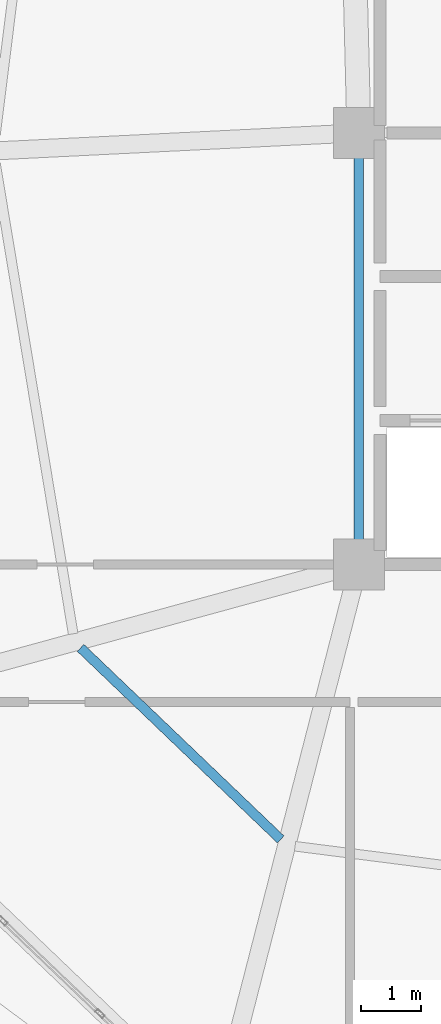
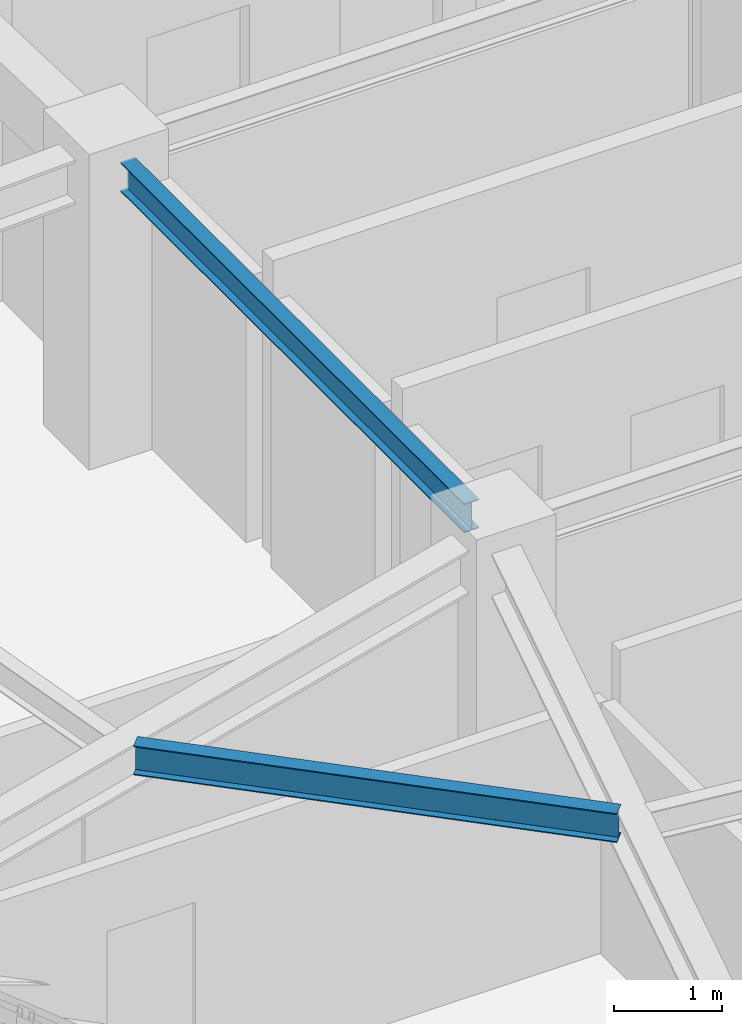
# One storey, part 6 of 28: 2 beams.
"""IFC4 building model written with IfcOpenShell, lengths in metres."""

from ifc_helpers import new_model, si_unit, direction, frame, origin, origin_2d, place, context, subcontext, project, spatial, i_section, extrude, material, material_profile, profile_set, type_object, element, save


model = new_model("IFC4")

# Units and contexts
model_context = context("Model", 3, precision=1e-05, world=origin(), true_north=direction((0.0, 1.0)))
body_context = subcontext(model_context, "Body", "Model", "MODEL_VIEW")
ifc_project = project(units=[si_unit("LENGTHUNIT", "METRE"), si_unit("AREAUNIT", "SQUARE_METRE"), si_unit("VOLUMEUNIT", "CUBIC_METRE"), si_unit("PLANEANGLEUNIT", "RADIAN"), si_unit("MASSUNIT", "GRAM", prefix="KILO")], contexts=[model_context])

# Site, building, storey
site_placement = place(None, origin())
site = spatial("IfcSite", under=ifc_project, at=site_placement, CompositionType="ELEMENT")
building_placement = place(site_placement, origin())
building = spatial("IfcBuilding", under=site, at=building_placement, Name="Varnakorn Sky Granary", CompositionType="ELEMENT")
storey_placement = place(building_placement, frame((0.0, 0.0, 200.39990234375)))
storey = spatial("IfcBuildingStorey", under=building, at=storey_placement, Name="L50", CompositionType="ELEMENT", Elevation=200.39990234375)

# Beams
ifc_material = material(Name="Steel S355JR", Category="steel")
ifc_material_profile = material_profile(ifc_material, i_section(OverallWidth=0.159912109375, OverallDepth=0.330078125, WebThickness=0.007568359375, FlangeThickness=0.011474609375, at=origin_2d()), Name="IPE 330")
ifc_profile_set = profile_set([ifc_material_profile], Name="Steel S355JR")
beam_type = type_object("IfcBeamType", Name="BM-SEC-Z4", PredefinedType="BEAM", material=ifc_profile_set)
beam_1_placement = place(storey_placement, frame((-6.994384765625, -7.99462890625, 3.195068359375), z_axis=(0.722467446384, -0.691404938452, 0.0), x_axis=(0.691404938452, 0.722467446384, 0.0)))
element("IfcBeam", 1, at=beam_1_placement, inside=storey, type_object=beam_type, Name="Secondary Floor Chord Beam MSB08 L50", PredefinedType="BEAM", context=body_context, shape_type="SweptSolid", body=[
    extrude(i_section(OverallWidth=0.159912109375, OverallDepth=0.330078125, WebThickness=0.007568359375, FlangeThickness=0.011474609375, at=origin_2d()), origin(), (0.0, 0.0, 1.0), 4.62158203125),
])
beam_2_placement = place(storey_placement, frame((-2.35009765625, 0.195068359375, 3.195068359375), z_axis=(0.0, -1.0, 0.0), x_axis=(1.0, 0.0, 0.0)))
element("IfcBeam", 2, at=beam_2_placement, inside=storey, type_object=beam_type, Name="Core Spine Framing Beam 3 L50", PredefinedType="BEAM", context=body_context, shape_type="SweptSolid", body=[
    extrude(i_section(OverallWidth=0.159912109375, OverallDepth=0.330078125, WebThickness=0.007568359375, FlangeThickness=0.011474609375, at=origin_2d()), origin(), (0.0, 0.0, 1.0), 6.39013671875),
])

save(model, "model.ifc")
